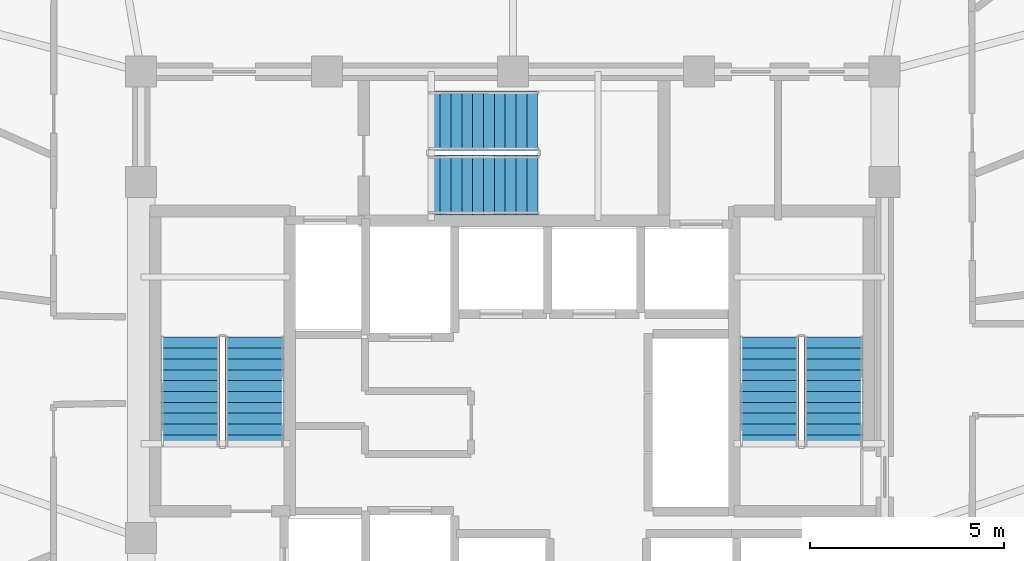
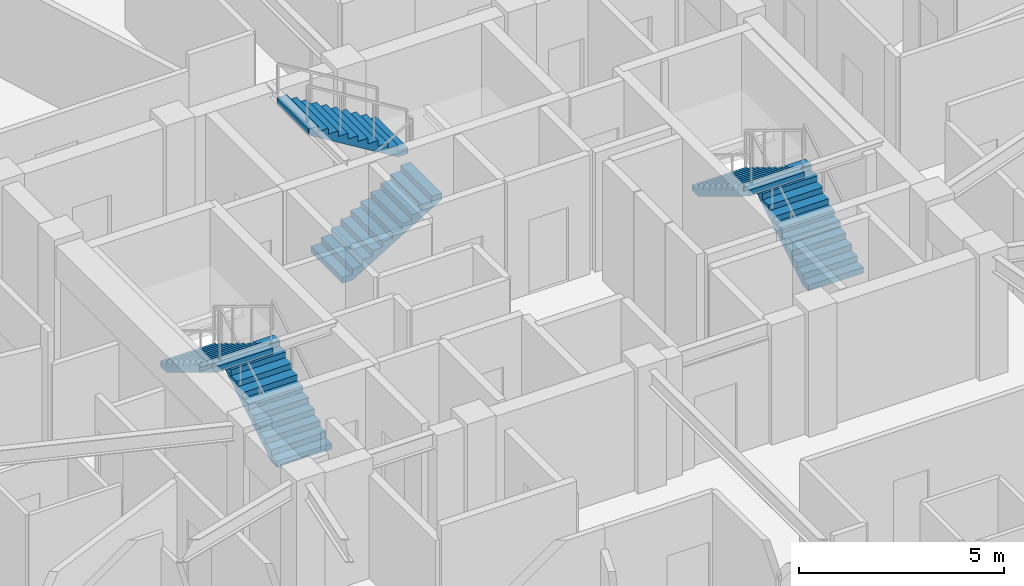
# One storey, part 26 of 30: 6 stair flights, 3 elements without a shape of their own.
"""IFC4 building model written with IfcOpenShell, lengths in metres."""

from ifc_helpers import new_model, si_unit, direction, frame, origin, place, context, subcontext, project, spatial, polyline, outline, extrude, material, type_object, element, aggregate, save


model = new_model("IFC4")

# Units and contexts
model_context = context("Model", 3, precision=1e-05, world=origin(), true_north=direction((0.0, 1.0)))
body_context = subcontext(model_context, "Body", "Model", "MODEL_VIEW")
ifc_project = project(units=[si_unit("LENGTHUNIT", "METRE"), si_unit("AREAUNIT", "SQUARE_METRE"), si_unit("VOLUMEUNIT", "CUBIC_METRE"), si_unit("PLANEANGLEUNIT", "RADIAN"), si_unit("MASSUNIT", "GRAM", prefix="KILO")], contexts=[model_context])

# Site, building, storey
site_placement = place(None, origin())
site = spatial("IfcSite", under=ifc_project, at=site_placement, CompositionType="ELEMENT")
building_placement = place(site_placement, origin())
building = spatial("IfcBuilding", under=site, at=building_placement, Name="Vantalir Tower", CompositionType="ELEMENT")
storey_placement = place(building_placement, frame((0.0, 0.0, 186.14990234375)))
storey = spatial("IfcBuildingStorey", under=building, at=storey_placement, Name="L46", CompositionType="ELEMENT", Elevation=186.14990234375)

# Stair, stair flights
ifc_material = material(Name="Concrete C40/50", Category="concrete")
stair_type = type_object("IfcStairType", Name="STR-CORE-1450", PredefinedType="HALF_TURN_STAIR", material=ifc_material)
stair_1_placement = place(storey_placement, origin())
stair_1 = element("IfcStair", 1, at=stair_1_placement, inside=storey, type_object=stair_type, Name="L46 Core Exit Stair 1", PredefinedType="HALF_TURN_STAIR")
stair_flight_type = type_object("IfcStairFlightType", Name="FLT-CORE-1450", PredefinedType="STRAIGHT", material=ifc_material)
stair_flight_1_placement = place(storey_placement, frame((24.830078125, 22.7900390625, 0.0), z_axis=(0.0, 0.0, 1.0), x_axis=(0.0, 1.0, 0.0)))
stair_flight_1 = element("IfcStairFlight", 2, at=stair_flight_1_placement, type_object=stair_flight_type, Name="ST1 flight 1", NumberOfRisers=11, NumberOfTreads=10, PredefinedType="STRAIGHT", RiserHeight=0.170454545, TreadLength=0.28, context=body_context, shape_type="SweptSolid", body=[
    extrude(outline(polyline([(0.0, 0.0), (0.0, 0.17041015625), (0.280029296875, 0.17041015625), (0.280029296875, 0.3408203125), (0.56005859375, 0.3408203125), (0.56005859375, 0.511474609375), (0.840087890625, 0.511474609375), (0.840087890625, 0.681884765625), (1.1201171875, 0.681884765625), (1.1201171875, 0.852294921875), (1.39990234375, 0.852294921875), (1.39990234375, 1.022705078125), (1.679931640625, 1.022705078125), (1.679931640625, 1.193115234375), (1.9599609375, 1.193115234375), (1.9599609375, 1.363525390625), (2.239990234375, 1.363525390625), (2.239990234375, 1.5341796875), (2.52001953125, 1.5341796875), (2.52001953125, 1.70458984375), (2.800048828125, 1.70458984375), (2.800048828125, 1.875), (2.800048828125, 1.529052734375), (0.288330078125, 0.0), (0.0, 0.0)])), frame((0.0, 0.77001953125, 0.0), z_axis=(0.0, -1.0, 0.0), x_axis=(1.0, 0.0, 0.0)), (0.0, 0.0, 1.0), 1.5400390625),
])
stair_flight_2_placement = place(storey_placement, frame((23.169921875, 25.590087890625, 1.875), z_axis=(0.0, 0.0, 1.0), x_axis=(0.0, -1.0, 0.0)))
stair_flight_2 = element("IfcStairFlight", 3, at=stair_flight_2_placement, type_object=stair_flight_type, Name="ST1 flight 2", NumberOfRisers=11, NumberOfTreads=10, PredefinedType="STRAIGHT", RiserHeight=0.170454545, TreadLength=0.28, context=body_context, shape_type="SweptSolid", body=[
    extrude(outline(polyline([(0.0, 0.0), (0.0, 0.17041015625), (0.280029296875, 0.17041015625), (0.280029296875, 0.3408203125), (0.56005859375, 0.3408203125), (0.56005859375, 0.511474609375), (0.840087890625, 0.511474609375), (0.840087890625, 0.681884765625), (1.1201171875, 0.681884765625), (1.1201171875, 0.852294921875), (1.39990234375, 0.852294921875), (1.39990234375, 1.022705078125), (1.679931640625, 1.022705078125), (1.679931640625, 1.193115234375), (1.9599609375, 1.193115234375), (1.9599609375, 1.363525390625), (2.239990234375, 1.363525390625), (2.239990234375, 1.5341796875), (2.52001953125, 1.5341796875), (2.52001953125, 1.70458984375), (2.800048828125, 1.70458984375), (2.800048828125, 1.875), (2.800048828125, 1.529052734375), (0.288330078125, 0.0), (0.0, 0.0)])), frame((0.0, 0.77001953125, 0.0), z_axis=(0.0, -1.0, 0.0), x_axis=(1.0, 0.0, 0.0)), (0.0, 0.0, 1.0), 1.5400390625),
])
aggregate(stair_1, [stair_flight_1, stair_flight_2])

stair_2_placement = place(storey_placement, origin())
stair_2 = element("IfcStair", 4, at=stair_2_placement, inside=storey, type_object=stair_type, Name="L46 Core Exit Stair 2", PredefinedType="HALF_TURN_STAIR")
stair_flight_3_placement = place(storey_placement, frame((39.780029296875, 22.7900390625, 0.0), z_axis=(0.0, 0.0, 1.0), x_axis=(0.0, 1.0, 0.0)))
stair_flight_3 = element("IfcStairFlight", 5, at=stair_flight_3_placement, type_object=stair_flight_type, Name="ST2 flight 1", NumberOfRisers=11, NumberOfTreads=10, PredefinedType="STRAIGHT", RiserHeight=0.170454545, TreadLength=0.28, context=body_context, shape_type="SweptSolid", body=[
    extrude(outline(polyline([(0.0, 0.0), (0.0, 0.17041015625), (0.280029296875, 0.17041015625), (0.280029296875, 0.3408203125), (0.56005859375, 0.3408203125), (0.56005859375, 0.511474609375), (0.840087890625, 0.511474609375), (0.840087890625, 0.681884765625), (1.1201171875, 0.681884765625), (1.1201171875, 0.852294921875), (1.39990234375, 0.852294921875), (1.39990234375, 1.022705078125), (1.679931640625, 1.022705078125), (1.679931640625, 1.193115234375), (1.9599609375, 1.193115234375), (1.9599609375, 1.363525390625), (2.239990234375, 1.363525390625), (2.239990234375, 1.5341796875), (2.52001953125, 1.5341796875), (2.52001953125, 1.70458984375), (2.800048828125, 1.70458984375), (2.800048828125, 1.875), (2.800048828125, 1.529052734375), (0.288330078125, 0.0), (0.0, 0.0)])), frame((0.0, 0.77001953125, 0.0), z_axis=(0.0, -1.0, 0.0), x_axis=(1.0, 0.0, 0.0)), (0.0, 0.0, 1.0), 1.5400390625),
])
stair_flight_4_placement = place(storey_placement, frame((38.1201171875, 25.590087890625, 1.875), z_axis=(0.0, 0.0, 1.0), x_axis=(0.0, -1.0, 0.0)))
stair_flight_4 = element("IfcStairFlight", 6, at=stair_flight_4_placement, type_object=stair_flight_type, Name="ST2 flight 2", NumberOfRisers=11, NumberOfTreads=10, PredefinedType="STRAIGHT", RiserHeight=0.170454545, TreadLength=0.28, context=body_context, shape_type="SweptSolid", body=[
    extrude(outline(polyline([(0.0, 0.0), (0.0, 0.17041015625), (0.280029296875, 0.17041015625), (0.280029296875, 0.3408203125), (0.56005859375, 0.3408203125), (0.56005859375, 0.511474609375), (0.840087890625, 0.511474609375), (0.840087890625, 0.681884765625), (1.1201171875, 0.681884765625), (1.1201171875, 0.852294921875), (1.39990234375, 0.852294921875), (1.39990234375, 1.022705078125), (1.679931640625, 1.022705078125), (1.679931640625, 1.193115234375), (1.9599609375, 1.193115234375), (1.9599609375, 1.363525390625), (2.239990234375, 1.363525390625), (2.239990234375, 1.5341796875), (2.52001953125, 1.5341796875), (2.52001953125, 1.70458984375), (2.800048828125, 1.70458984375), (2.800048828125, 1.875), (2.800048828125, 1.529052734375), (0.288330078125, 0.0), (0.0, 0.0)])), frame((0.0, 0.77001953125, 0.0), z_axis=(0.0, -1.0, 0.0), x_axis=(1.0, 0.0, 0.0)), (0.0, 0.0, 1.0), 1.5400390625),
])
aggregate(stair_2, [stair_flight_3, stair_flight_4])

stair_3_placement = place(storey_placement, origin())
stair_3 = element("IfcStair", 7, at=stair_3_placement, inside=storey, type_object=stair_type, Name="L46 Core Exit Stair 3", PredefinedType="HALF_TURN_STAIR")
stair_flight_5_placement = place(storey_placement, frame((29.340087890625, 29.52001953125, 0.0), z_axis=(0.0, 0.0, 1.0), x_axis=(1.0, 0.0, 0.0)))
stair_flight_5 = element("IfcStairFlight", 8, at=stair_flight_5_placement, type_object=stair_flight_type, Name="ST3 flight 1", NumberOfRisers=11, NumberOfTreads=10, PredefinedType="STRAIGHT", RiserHeight=0.170454545, TreadLength=0.28, context=body_context, shape_type="SweptSolid", body=[
    extrude(outline(polyline([(0.0, 0.0), (0.0, 0.17041015625), (0.280029296875, 0.17041015625), (0.280029296875, 0.3408203125), (0.56005859375, 0.3408203125), (0.56005859375, 0.511474609375), (0.840087890625, 0.511474609375), (0.840087890625, 0.681884765625), (1.1201171875, 0.681884765625), (1.1201171875, 0.852294921875), (1.39990234375, 0.852294921875), (1.39990234375, 1.022705078125), (1.679931640625, 1.022705078125), (1.679931640625, 1.193115234375), (1.9599609375, 1.193115234375), (1.9599609375, 1.363525390625), (2.239990234375, 1.363525390625), (2.239990234375, 1.5341796875), (2.52001953125, 1.5341796875), (2.52001953125, 1.70458984375), (2.800048828125, 1.70458984375), (2.800048828125, 1.875), (2.800048828125, 1.529052734375), (0.288330078125, 0.0), (0.0, 0.0)])), frame((0.0, 0.77001953125, 0.0), z_axis=(0.0, -1.0, 0.0), x_axis=(1.0, 0.0, 0.0)), (0.0, 0.0, 1.0), 1.5400390625),
])
stair_flight_6_placement = place(storey_placement, frame((32.139892578125, 31.179931640625, 1.875), z_axis=(0.0, 0.0, 1.0), x_axis=(-1.0, 0.0, 0.0)))
stair_flight_6 = element("IfcStairFlight", 9, at=stair_flight_6_placement, type_object=stair_flight_type, Name="ST3 flight 2", NumberOfRisers=11, NumberOfTreads=10, PredefinedType="STRAIGHT", RiserHeight=0.170454545, TreadLength=0.28, context=body_context, shape_type="SweptSolid", body=[
    extrude(outline(polyline([(0.0, 0.0), (0.0, 0.17041015625), (0.280029296875, 0.17041015625), (0.280029296875, 0.3408203125), (0.56005859375, 0.3408203125), (0.56005859375, 0.511474609375), (0.840087890625, 0.511474609375), (0.840087890625, 0.681884765625), (1.1201171875, 0.681884765625), (1.1201171875, 0.852294921875), (1.39990234375, 0.852294921875), (1.39990234375, 1.022705078125), (1.679931640625, 1.022705078125), (1.679931640625, 1.193115234375), (1.9599609375, 1.193115234375), (1.9599609375, 1.363525390625), (2.239990234375, 1.363525390625), (2.239990234375, 1.5341796875), (2.52001953125, 1.5341796875), (2.52001953125, 1.70458984375), (2.800048828125, 1.70458984375), (2.800048828125, 1.875), (2.800048828125, 1.529052734375), (0.288330078125, 0.0), (0.0, 0.0)])), frame((0.0, 0.77001953125, 0.0), z_axis=(0.0, -1.0, 0.0), x_axis=(1.0, 0.0, 0.0)), (0.0, 0.0, 1.0), 1.5400390625),
])
aggregate(stair_3, [stair_flight_5, stair_flight_6])

save(model, "model.ifc")
